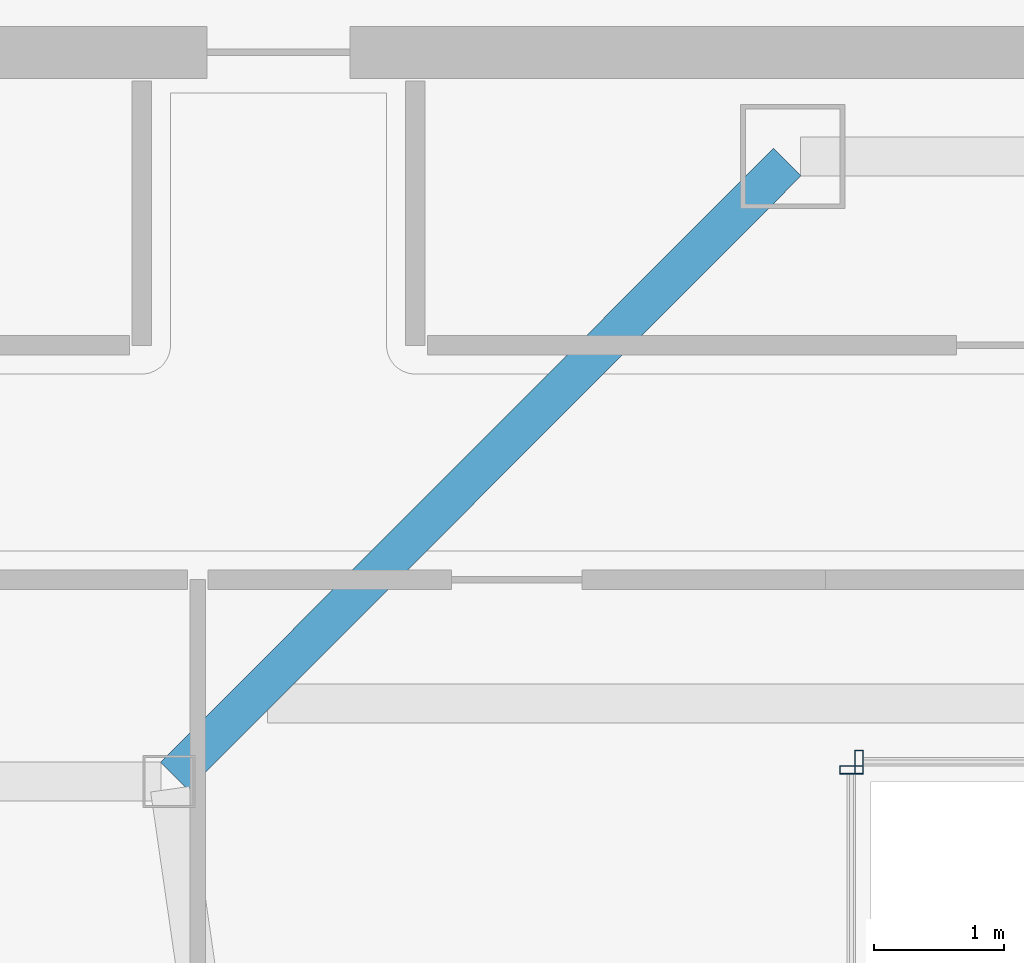
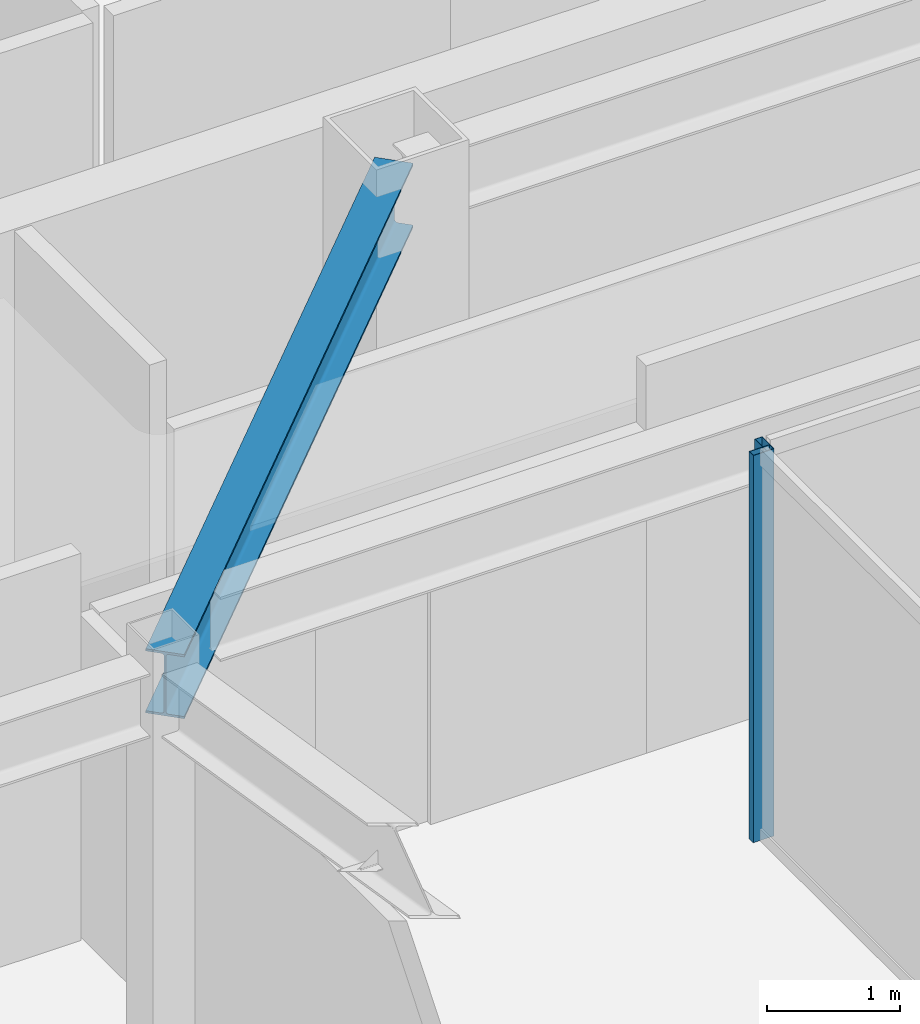
# One storey, part 8 of 31: 2 members, 1 beam, 2 elements without a shape of their own.
"""IFC4 building model written with IfcOpenShell, lengths in metres."""

from ifc_helpers import new_model, si_unit, direction, frame, origin, origin_2d, place, context, subcontext, project, spatial, hollow_rectangle, i_section, extrude, material, material_profile, profile_set, type_object, element, aggregate, save


model = new_model("IFC4")

# Units and contexts
model_context = context("Model", 3, precision=1e-05, world=origin(), true_north=direction((0.0, 1.0)))
body_context = subcontext(model_context, "Body", "Model", "MODEL_VIEW")
ifc_project = project(units=[si_unit("LENGTHUNIT", "METRE"), si_unit("AREAUNIT", "SQUARE_METRE"), si_unit("VOLUMEUNIT", "CUBIC_METRE"), si_unit("PLANEANGLEUNIT", "RADIAN"), si_unit("MASSUNIT", "GRAM", prefix="KILO")], contexts=[model_context])

# Site, building, storey
site_placement = place(None, origin())
site = spatial("IfcSite", under=ifc_project, at=site_placement, CompositionType="ELEMENT")
building_placement = place(site_placement, origin())
building = spatial("IfcBuilding", under=site, at=building_placement, Name="Saevonmaru Cultural Tower", CompositionType="ELEMENT")
storey_placement = place(building_placement, frame((0.0, 0.0, 230.60009765625)))
storey = spatial("IfcBuildingStorey", under=building, at=storey_placement, Name="L53", CompositionType="ELEMENT", Elevation=230.60009765625)

# Beam
ifc_material_1 = material(Name="Steel SM355", Category="steel")
ifc_material_profile_1 = material_profile(ifc_material_1, i_section(OverallWidth=0.300048828125, OverallDepth=0.587890625, WebThickness=0.011962890625, FlangeThickness=0.02001953125, FilletRadius=0.02392578125, at=origin_2d()), Name="H-588x300x12x20")
ifc_profile_set_1 = profile_set([ifc_material_profile_1], Name="Steel SM355")
beam_type = type_object("IfcBeamType", Name="BM-G-H588", PredefinedType="BEAM", material=ifc_profile_set_1)
beam_placement = place(storey_placement, frame((18.850341796875, 37.642578125, 3.255859375), z_axis=(0.706538566564, 0.707674539572, 0.0), x_axis=(-0.707674539572, 0.706538566564, 0.0)))
element("IfcBeam", 1, at=beam_placement, inside=storey, type_object=beam_type, Name="L53 West Atrium Girder 4", PredefinedType="BEAM", context=body_context, shape_type="SweptSolid", body=[
    extrude(i_section(OverallWidth=0.300048828125, OverallDepth=0.587890625, WebThickness=0.011962890625, FlangeThickness=0.02001953125, FilletRadius=0.02392578125, at=origin_2d()), origin(), (0.0, 0.0, 1.0), 6.662353515625),
])

# Curtain wall, member
ifc_material_2 = material(Name="Satin Bronze Anodised Aluminium", Category="aluminium")
curtain_wall_type = type_object("IfcCurtainWallType", Name="CW-ATR-GLZ", PredefinedType="NOTDEFINED", material=ifc_material_2)
curtain_wall_1_placement = place(storey_placement, origin())
curtain_wall_1 = element("IfcCurtainWall", 2, at=curtain_wall_1_placement, inside=storey, type_object=curtain_wall_type, Name="L53 Vertical Atrium Glazed Smoke Screen 3", PredefinedType="NOTDEFINED")
ifc_material_profile_2 = material_profile(ifc_material_2, hollow_rectangle(XDim=0.06494140625, YDim=0.179931640625, WallThickness=0.00390625, at=origin_2d()), Name="ALU-MULL-180x65x4")
ifc_profile_set_2 = profile_set([ifc_material_profile_2], Name="Satin Bronze Anodised Aluminium")
member_type = type_object("IfcMemberType", Name="ML-CW-INT-180x65", PredefinedType="MULLION", material=ifc_profile_set_2)
member_1_placement = place(storey_placement, frame((24.110107421875, 37.75, 0.0), z_axis=(0.0, 0.0, 1.0), x_axis=(-1.0, 0.0, 0.0)))
member_1 = element("IfcMember", 3, at=member_1_placement, type_object=member_type, Name="CW-ATR-L53-3 mullion 2", PredefinedType="MULLION", context=body_context, shape_type="SweptSolid", body=[
    extrude(hollow_rectangle(XDim=0.06494140625, YDim=0.179931640625, WallThickness=0.00390625, at=origin_2d()), origin(), (0.0, 0.0, 1.0), 3.5498046875),
])
aggregate(curtain_wall_1, [member_1])

curtain_wall_2_placement = place(storey_placement, origin())
curtain_wall_2 = element("IfcCurtainWall", 4, at=curtain_wall_2_placement, inside=storey, type_object=curtain_wall_type, Name="L53 Vertical Atrium Glazed Smoke Screen 4", PredefinedType="NOTDEFINED")
member_2_placement = place(storey_placement, frame((24.050048828125, 37.68994140625, 0.0), z_axis=(0.0, 0.0, 1.0), x_axis=(0.0, -1.0, 0.0)))
member_2 = element("IfcMember", 5, at=member_2_placement, type_object=member_type, Name="CW-ATR-L53-4 mullion 1", PredefinedType="MULLION", context=body_context, shape_type="SweptSolid", body=[
    extrude(hollow_rectangle(XDim=0.06494140625, YDim=0.179931640625, WallThickness=0.00390625, at=origin_2d()), origin(), (0.0, 0.0, 1.0), 3.5498046875),
])
aggregate(curtain_wall_2, [member_2])

save(model, "model.ifc")
